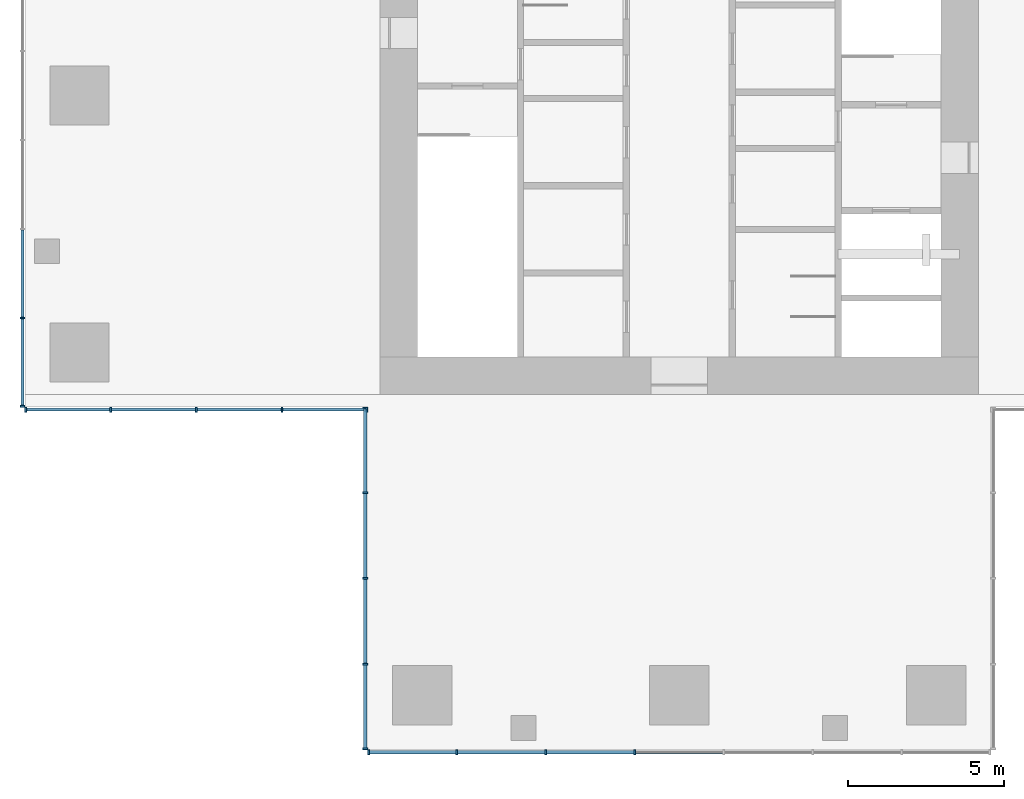
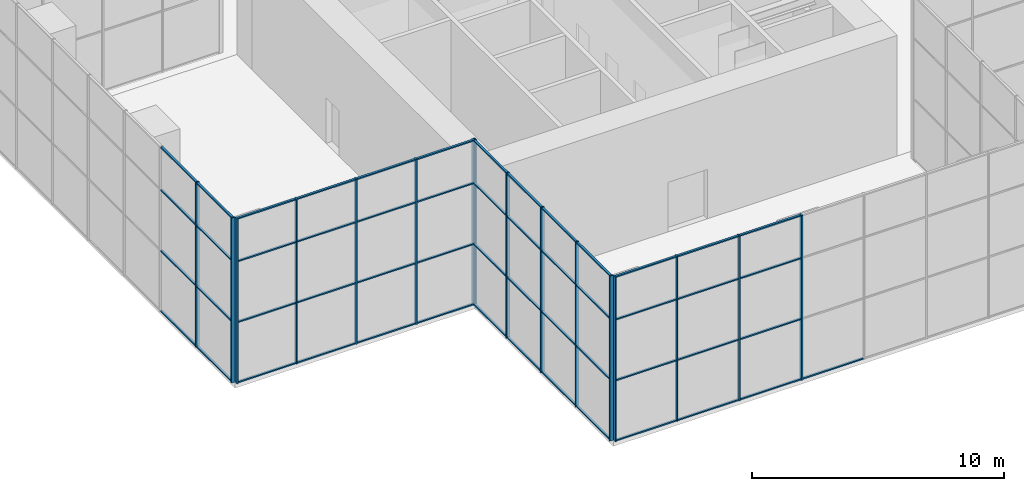
# One storey, part 2 of 12: 69 members, 4 elements without a shape of their own.
"""IFC4 building model written with IfcOpenShell, lengths in metres."""

from ifc_helpers import new_model, si_unit, direction, frame, origin, origin_2d, place, context, subcontext, project, spatial, rectangle, extrude, material, material_profile, profile_set, type_object, element, aggregate, save


model = new_model("IFC4")

# Units and contexts
model_context = context("Model", 3, precision=1e-05, world=origin(), true_north=direction((0.0, 1.0)))
body_context = subcontext(model_context, "Body", "Model", "MODEL_VIEW")
ifc_project = project(units=[si_unit("LENGTHUNIT", "METRE"), si_unit("AREAUNIT", "SQUARE_METRE"), si_unit("VOLUMEUNIT", "CUBIC_METRE"), si_unit("PLANEANGLEUNIT", "RADIAN"), si_unit("MASSUNIT", "GRAM", prefix="KILO")], contexts=[model_context])

# Site, building, storey
site_placement = place(None, origin())
site = spatial("IfcSite", under=ifc_project, at=site_placement, CompositionType="ELEMENT")
building_placement = place(site_placement, origin())
building = spatial("IfcBuilding", under=site, at=building_placement, Name="Svetlomir Tower", CompositionType="ELEMENT")
storey_placement = place(building_placement, frame((0.0, 0.0, 283.89990234375)))
storey = spatial("IfcBuildingStorey", under=building, at=storey_placement, Name="L67", CompositionType="ELEMENT", Elevation=283.89990234375)

# Curtain wall, members
ifc_material_1 = material(Name="Bronze anodised aluminium curtain wall", Category="aluminium")
curtain_wall_type = type_object("IfcCurtainWallType", Name="CURTAIN WALL CW6 LANTERN", PredefinedType="NOTDEFINED", material=ifc_material_1)
curtain_wall_1_placement = place(storey_placement, origin())
curtain_wall_1 = element("IfcCurtainWall", 1, at=curtain_wall_1_placement, inside=storey, type_object=curtain_wall_type, Name="Curtain wall CW6 L67", PredefinedType="NOTDEFINED")
ifc_material_2 = material(Name="Bronze anodised aluminium", Category="aluminium")
ifc_material_profile_1 = material_profile(ifc_material_2, rectangle(XDim=0.06005859375, YDim=0.159912109375, at=origin_2d()), Name="AL 60x160")
ifc_profile_set_1 = profile_set([ifc_material_profile_1], Name="Bronze anodised aluminium 6063-T6")
member_type_1 = type_object("IfcMemberType", Name="CW6 MULLION 60x160", PredefinedType="MULLION", material=ifc_profile_set_1)
member_1_placement = place(storey_placement, frame((11.030029296875, -0.080078125, 0.0), z_axis=(0.0, 0.0, 1.0), x_axis=(1.0, 0.0, 0.0)))
member_1 = element("IfcMember", 2, at=member_1_placement, type_object=member_type_1, Name="CW6 mullion 1", PredefinedType="MULLION", context=body_context, shape_type="SweptSolid", body=[
    extrude(rectangle(XDim=0.06005859375, YDim=0.159912109375, at=origin_2d()), origin(), (0.0, 0.0, 1.0), 8.0),
])
member_2_placement = place(storey_placement, frame((13.857177734375, -0.080078125, 0.0), z_axis=(0.0, 0.0, 1.0), x_axis=(1.0, 0.0, 0.0)))
member_2 = element("IfcMember", 3, at=member_2_placement, type_object=member_type_1, Name="CW6 mullion 2", PredefinedType="MULLION", context=body_context, shape_type="SweptSolid", body=[
    extrude(rectangle(XDim=0.06005859375, YDim=0.159912109375, at=origin_2d()), origin(), (0.0, 0.0, 1.0), 8.0),
])
member_3_placement = place(storey_placement, frame((16.71435546875, -0.080078125, 0.0), z_axis=(0.0, 0.0, 1.0), x_axis=(1.0, 0.0, 0.0)))
member_3 = element("IfcMember", 4, at=member_3_placement, type_object=member_type_1, Name="CW6 mullion 3", PredefinedType="MULLION", context=body_context, shape_type="SweptSolid", body=[
    extrude(rectangle(XDim=0.06005859375, YDim=0.159912109375, at=origin_2d()), origin(), (0.0, 0.0, 1.0), 8.0),
])
member_4_placement = place(storey_placement, frame((19.571533203125, -0.080078125, 0.0), z_axis=(0.0, 0.0, 1.0), x_axis=(1.0, 0.0, 0.0)))
member_4 = element("IfcMember", 5, at=member_4_placement, type_object=member_type_1, Name="CW6 mullion 4", PredefinedType="MULLION", context=body_context, shape_type="SweptSolid", body=[
    extrude(rectangle(XDim=0.06005859375, YDim=0.159912109375, at=origin_2d()), origin(), (0.0, 0.0, 1.0), 8.0),
])

curtain_wall_2_placement = place(storey_placement, origin())
curtain_wall_2 = element("IfcCurtainWall", 6, at=curtain_wall_2_placement, inside=storey, type_object=curtain_wall_type, Name="Curtain wall CW6 L67", PredefinedType="NOTDEFINED")
member_5_placement = place(storey_placement, frame((-0.080078125, 13.857177734375, 0.0), z_axis=(0.0, 0.0, 1.0), x_axis=(0.0, -1.0, 0.0)))
member_5 = element("IfcMember", 7, at=member_5_placement, type_object=member_type_1, Name="CW6 mullion 7", PredefinedType="MULLION", context=body_context, shape_type="SweptSolid", body=[
    extrude(rectangle(XDim=0.06005859375, YDim=0.159912109375, at=origin_2d()), origin(), (0.0, 0.0, 1.0), 8.0),
])
member_6_placement = place(storey_placement, frame((-0.080078125, 11.030029296875, 0.0), z_axis=(0.0, 0.0, 1.0), x_axis=(0.0, -1.0, 0.0)))
member_6 = element("IfcMember", 8, at=member_6_placement, type_object=member_type_1, Name="CW6 mullion 8", PredefinedType="MULLION", context=body_context, shape_type="SweptSolid", body=[
    extrude(rectangle(XDim=0.06005859375, YDim=0.159912109375, at=origin_2d()), origin(), (0.0, 0.0, 1.0), 8.0),
])

curtain_wall_3_placement = place(storey_placement, origin())
curtain_wall_3 = element("IfcCurtainWall", 9, at=curtain_wall_3_placement, inside=storey, type_object=curtain_wall_type, Name="Curtain wall CW6 L67", PredefinedType="NOTDEFINED")
member_7_placement = place(storey_placement, frame((0.030029296875, 10.919921875, 0.0), z_axis=(0.0, 0.0, 1.0), x_axis=(1.0, 0.0, 0.0)))
member_7 = element("IfcMember", 10, at=member_7_placement, type_object=member_type_1, Name="CW6 mullion 1", PredefinedType="MULLION", context=body_context, shape_type="SweptSolid", body=[
    extrude(rectangle(XDim=0.06005859375, YDim=0.159912109375, at=origin_2d()), origin(), (0.0, 0.0, 1.0), 8.0),
])
member_8_placement = place(storey_placement, frame((2.75, 10.919921875, 0.0), z_axis=(0.0, 0.0, 1.0), x_axis=(1.0, 0.0, 0.0)))
member_8 = element("IfcMember", 11, at=member_8_placement, type_object=member_type_1, Name="CW6 mullion 2", PredefinedType="MULLION", context=body_context, shape_type="SweptSolid", body=[
    extrude(rectangle(XDim=0.06005859375, YDim=0.159912109375, at=origin_2d()), origin(), (0.0, 0.0, 1.0), 8.0),
])
member_9_placement = place(storey_placement, frame((5.5, 10.919921875, 0.0), z_axis=(0.0, 0.0, 1.0), x_axis=(1.0, 0.0, 0.0)))
member_9 = element("IfcMember", 12, at=member_9_placement, type_object=member_type_1, Name="CW6 mullion 3", PredefinedType="MULLION", context=body_context, shape_type="SweptSolid", body=[
    extrude(rectangle(XDim=0.06005859375, YDim=0.159912109375, at=origin_2d()), origin(), (0.0, 0.0, 1.0), 8.0),
])
member_10_placement = place(storey_placement, frame((8.25, 10.919921875, 0.0), z_axis=(0.0, 0.0, 1.0), x_axis=(1.0, 0.0, 0.0)))
member_10 = element("IfcMember", 13, at=member_10_placement, type_object=member_type_1, Name="CW6 mullion 4", PredefinedType="MULLION", context=body_context, shape_type="SweptSolid", body=[
    extrude(rectangle(XDim=0.06005859375, YDim=0.159912109375, at=origin_2d()), origin(), (0.0, 0.0, 1.0), 8.0),
])
member_11_placement = place(storey_placement, frame((10.969970703125, 10.919921875, 0.0), z_axis=(0.0, 0.0, 1.0), x_axis=(1.0, 0.0, 0.0)))
member_11 = element("IfcMember", 14, at=member_11_placement, type_object=member_type_1, Name="CW6 mullion 5", PredefinedType="MULLION", context=body_context, shape_type="SweptSolid", body=[
    extrude(rectangle(XDim=0.06005859375, YDim=0.159912109375, at=origin_2d()), origin(), (0.0, 0.0, 1.0), 8.0),
])

curtain_wall_4_placement = place(storey_placement, origin())
curtain_wall_4 = element("IfcCurtainWall", 15, at=curtain_wall_4_placement, inside=storey, type_object=curtain_wall_type, Name="Curtain wall CW6 L67", PredefinedType="NOTDEFINED")
member_12_placement = place(storey_placement, frame((10.919921875, 10.969970703125, 0.0), z_axis=(0.0, 0.0, 1.0), x_axis=(0.0, -1.0, 0.0)))
member_12 = element("IfcMember", 16, at=member_12_placement, type_object=member_type_1, Name="CW6 mullion 1", PredefinedType="MULLION", context=body_context, shape_type="SweptSolid", body=[
    extrude(rectangle(XDim=0.06005859375, YDim=0.159912109375, at=origin_2d()), origin(), (0.0, 0.0, 1.0), 8.0),
])
member_13_placement = place(storey_placement, frame((10.919921875, 8.25, 0.0), z_axis=(0.0, 0.0, 1.0), x_axis=(0.0, -1.0, 0.0)))
member_13 = element("IfcMember", 17, at=member_13_placement, type_object=member_type_1, Name="CW6 mullion 2", PredefinedType="MULLION", context=body_context, shape_type="SweptSolid", body=[
    extrude(rectangle(XDim=0.06005859375, YDim=0.159912109375, at=origin_2d()), origin(), (0.0, 0.0, 1.0), 8.0),
])
member_14_placement = place(storey_placement, frame((10.919921875, 5.5, 0.0), z_axis=(0.0, 0.0, 1.0), x_axis=(0.0, -1.0, 0.0)))
member_14 = element("IfcMember", 18, at=member_14_placement, type_object=member_type_1, Name="CW6 mullion 3", PredefinedType="MULLION", context=body_context, shape_type="SweptSolid", body=[
    extrude(rectangle(XDim=0.06005859375, YDim=0.159912109375, at=origin_2d()), origin(), (0.0, 0.0, 1.0), 8.0),
])
member_15_placement = place(storey_placement, frame((10.919921875, 2.75, 0.0), z_axis=(0.0, 0.0, 1.0), x_axis=(0.0, -1.0, 0.0)))
member_15 = element("IfcMember", 19, at=member_15_placement, type_object=member_type_1, Name="CW6 mullion 4", PredefinedType="MULLION", context=body_context, shape_type="SweptSolid", body=[
    extrude(rectangle(XDim=0.06005859375, YDim=0.159912109375, at=origin_2d()), origin(), (0.0, 0.0, 1.0), 8.0),
])
member_16_placement = place(storey_placement, frame((10.919921875, 0.030029296875, 0.0), z_axis=(0.0, 0.0, 1.0), x_axis=(0.0, -1.0, 0.0)))
member_16 = element("IfcMember", 20, at=member_16_placement, type_object=member_type_1, Name="CW6 mullion 5", PredefinedType="MULLION", context=body_context, shape_type="SweptSolid", body=[
    extrude(rectangle(XDim=0.06005859375, YDim=0.159912109375, at=origin_2d()), origin(), (0.0, 0.0, 1.0), 8.0),
])

# Member
ifc_material_3 = material(Name="Bronze anodised aluminium", Category="aluminium")
ifc_material_profile_2 = material_profile(ifc_material_3, rectangle(XDim=0.10009765625, YDim=0.06005859375, at=origin_2d()), Name="AL 100x60")
ifc_profile_set_2 = profile_set([ifc_material_profile_2], Name="Bronze anodised aluminium 6063-T6")
member_type_2 = type_object("IfcMemberType", Name="CW6 TRANSOM 60x100", PredefinedType="USERDEFINED", material=ifc_profile_set_2)
member_17_placement = place(storey_placement, frame((11.06005859375, -0.080078125, 0.030029296875), z_axis=(1.0, 0.0, 0.0), x_axis=(0.0, 1.0, 0.0)))
member_17 = element("IfcMember", 21, at=member_17_placement, type_object=member_type_2, Name="CW6 transom 1.1", ObjectType="TRANSOM", PredefinedType="USERDEFINED", context=body_context, shape_type="SweptSolid", body=[
    extrude(rectangle(XDim=0.10009765625, YDim=0.06005859375, at=origin_2d()), origin(), (0.0, 0.0, 1.0), 2.76708984375),
])

member_18_placement = place(storey_placement, frame((11.06005859375, -0.080078125, 2.9501953125), z_axis=(1.0, 0.0, 0.0), x_axis=(0.0, 1.0, 0.0)))
member_18 = element("IfcMember", 22, at=member_18_placement, type_object=member_type_2, Name="CW6 transom 1.2", ObjectType="TRANSOM", PredefinedType="USERDEFINED", context=body_context, shape_type="SweptSolid", body=[
    extrude(rectangle(XDim=0.10009765625, YDim=0.06005859375, at=origin_2d()), origin(), (0.0, 0.0, 1.0), 2.76708984375),
])

member_19_placement = place(storey_placement, frame((11.06005859375, -0.080078125, 5.900146484375), z_axis=(1.0, 0.0, 0.0), x_axis=(0.0, 1.0, 0.0)))
member_19 = element("IfcMember", 23, at=member_19_placement, type_object=member_type_2, Name="CW6 transom 1.3", ObjectType="TRANSOM", PredefinedType="USERDEFINED", context=body_context, shape_type="SweptSolid", body=[
    extrude(rectangle(XDim=0.10009765625, YDim=0.06005859375, at=origin_2d()), origin(), (0.0, 0.0, 1.0), 2.76708984375),
])

member_20_placement = place(storey_placement, frame((11.06005859375, -0.080078125, 7.97021484375), z_axis=(1.0, 0.0, 0.0), x_axis=(0.0, 1.0, 0.0)))
member_20 = element("IfcMember", 24, at=member_20_placement, type_object=member_type_2, Name="CW6 transom 1.4", ObjectType="TRANSOM", PredefinedType="USERDEFINED", context=body_context, shape_type="SweptSolid", body=[
    extrude(rectangle(XDim=0.10009765625, YDim=0.06005859375, at=origin_2d()), origin(), (0.0, 0.0, 1.0), 2.76708984375),
])

member_21_placement = place(storey_placement, frame((13.88720703125, -0.080078125, 0.030029296875), z_axis=(1.0, 0.0, 0.0), x_axis=(0.0, 1.0, 0.0)))
member_21 = element("IfcMember", 25, at=member_21_placement, type_object=member_type_2, Name="CW6 transom 2.1", ObjectType="TRANSOM", PredefinedType="USERDEFINED", context=body_context, shape_type="SweptSolid", body=[
    extrude(rectangle(XDim=0.10009765625, YDim=0.06005859375, at=origin_2d()), origin(), (0.0, 0.0, 1.0), 2.797119140625),
])

member_22_placement = place(storey_placement, frame((13.88720703125, -0.080078125, 2.9501953125), z_axis=(1.0, 0.0, 0.0), x_axis=(0.0, 1.0, 0.0)))
member_22 = element("IfcMember", 26, at=member_22_placement, type_object=member_type_2, Name="CW6 transom 2.2", ObjectType="TRANSOM", PredefinedType="USERDEFINED", context=body_context, shape_type="SweptSolid", body=[
    extrude(rectangle(XDim=0.10009765625, YDim=0.06005859375, at=origin_2d()), origin(), (0.0, 0.0, 1.0), 2.797119140625),
])

member_23_placement = place(storey_placement, frame((13.88720703125, -0.080078125, 5.900146484375), z_axis=(1.0, 0.0, 0.0), x_axis=(0.0, 1.0, 0.0)))
member_23 = element("IfcMember", 27, at=member_23_placement, type_object=member_type_2, Name="CW6 transom 2.3", ObjectType="TRANSOM", PredefinedType="USERDEFINED", context=body_context, shape_type="SweptSolid", body=[
    extrude(rectangle(XDim=0.10009765625, YDim=0.06005859375, at=origin_2d()), origin(), (0.0, 0.0, 1.0), 2.797119140625),
])

member_24_placement = place(storey_placement, frame((13.88720703125, -0.080078125, 7.97021484375), z_axis=(1.0, 0.0, 0.0), x_axis=(0.0, 1.0, 0.0)))
member_24 = element("IfcMember", 28, at=member_24_placement, type_object=member_type_2, Name="CW6 transom 2.4", ObjectType="TRANSOM", PredefinedType="USERDEFINED", context=body_context, shape_type="SweptSolid", body=[
    extrude(rectangle(XDim=0.10009765625, YDim=0.06005859375, at=origin_2d()), origin(), (0.0, 0.0, 1.0), 2.797119140625),
])

member_25_placement = place(storey_placement, frame((16.744384765625, -0.080078125, 0.030029296875), z_axis=(1.0, 0.0, 0.0), x_axis=(0.0, 1.0, 0.0)))
member_25 = element("IfcMember", 29, at=member_25_placement, type_object=member_type_2, Name="CW6 transom 3.1", ObjectType="TRANSOM", PredefinedType="USERDEFINED", context=body_context, shape_type="SweptSolid", body=[
    extrude(rectangle(XDim=0.10009765625, YDim=0.06005859375, at=origin_2d()), origin(), (0.0, 0.0, 1.0), 2.797119140625),
])

member_26_placement = place(storey_placement, frame((16.744384765625, -0.080078125, 2.9501953125), z_axis=(1.0, 0.0, 0.0), x_axis=(0.0, 1.0, 0.0)))
member_26 = element("IfcMember", 30, at=member_26_placement, type_object=member_type_2, Name="CW6 transom 3.2", ObjectType="TRANSOM", PredefinedType="USERDEFINED", context=body_context, shape_type="SweptSolid", body=[
    extrude(rectangle(XDim=0.10009765625, YDim=0.06005859375, at=origin_2d()), origin(), (0.0, 0.0, 1.0), 2.797119140625),
])

member_27_placement = place(storey_placement, frame((16.744384765625, -0.080078125, 5.900146484375), z_axis=(1.0, 0.0, 0.0), x_axis=(0.0, 1.0, 0.0)))
member_27 = element("IfcMember", 31, at=member_27_placement, type_object=member_type_2, Name="CW6 transom 3.3", ObjectType="TRANSOM", PredefinedType="USERDEFINED", context=body_context, shape_type="SweptSolid", body=[
    extrude(rectangle(XDim=0.10009765625, YDim=0.06005859375, at=origin_2d()), origin(), (0.0, 0.0, 1.0), 2.797119140625),
])

member_28_placement = place(storey_placement, frame((16.744384765625, -0.080078125, 7.97021484375), z_axis=(1.0, 0.0, 0.0), x_axis=(0.0, 1.0, 0.0)))
member_28 = element("IfcMember", 32, at=member_28_placement, type_object=member_type_2, Name="CW6 transom 3.4", ObjectType="TRANSOM", PredefinedType="USERDEFINED", context=body_context, shape_type="SweptSolid", body=[
    extrude(rectangle(XDim=0.10009765625, YDim=0.06005859375, at=origin_2d()), origin(), (0.0, 0.0, 1.0), 2.797119140625),
])

member_29_placement = place(storey_placement, frame((19.601318359375, -0.080078125, 0.030029296875), z_axis=(1.0, 0.0, 0.0), x_axis=(0.0, 1.0, 0.0)))
member_29 = element("IfcMember", 33, at=member_29_placement, type_object=member_type_2, Name="CW6 transom 4.1", ObjectType="TRANSOM", PredefinedType="USERDEFINED", context=body_context, shape_type="SweptSolid", body=[
    extrude(rectangle(XDim=0.10009765625, YDim=0.06005859375, at=origin_2d()), origin(), (0.0, 0.0, 1.0), 2.79736328125),
])

aggregate(curtain_wall_1, [member_1, member_2, member_3, member_4, member_17, member_18, member_19, member_20, member_21, member_22, member_23, member_24, member_25, member_26, member_27, member_28, member_29])

member_30_placement = place(storey_placement, frame((-0.080078125, 16.684326171875, 0.030029296875), z_axis=(0.0, -1.0, 0.0), x_axis=(1.0, 0.0, 0.0)))
member_30 = element("IfcMember", 34, at=member_30_placement, type_object=member_type_2, Name="CW6 transom 6.1", ObjectType="TRANSOM", PredefinedType="USERDEFINED", context=body_context, shape_type="SweptSolid", body=[
    extrude(rectangle(XDim=0.10009765625, YDim=0.06005859375, at=origin_2d()), origin(), (0.0, 0.0, 1.0), 2.797119140625),
])

member_31_placement = place(storey_placement, frame((-0.080078125, 16.684326171875, 2.9501953125), z_axis=(0.0, -1.0, 0.0), x_axis=(1.0, 0.0, 0.0)))
member_31 = element("IfcMember", 35, at=member_31_placement, type_object=member_type_2, Name="CW6 transom 6.2", ObjectType="TRANSOM", PredefinedType="USERDEFINED", context=body_context, shape_type="SweptSolid", body=[
    extrude(rectangle(XDim=0.10009765625, YDim=0.06005859375, at=origin_2d()), origin(), (0.0, 0.0, 1.0), 2.797119140625),
])

member_32_placement = place(storey_placement, frame((-0.080078125, 16.684326171875, 5.900146484375), z_axis=(0.0, -1.0, 0.0), x_axis=(1.0, 0.0, 0.0)))
member_32 = element("IfcMember", 36, at=member_32_placement, type_object=member_type_2, Name="CW6 transom 6.3", ObjectType="TRANSOM", PredefinedType="USERDEFINED", context=body_context, shape_type="SweptSolid", body=[
    extrude(rectangle(XDim=0.10009765625, YDim=0.06005859375, at=origin_2d()), origin(), (0.0, 0.0, 1.0), 2.797119140625),
])

member_33_placement = place(storey_placement, frame((-0.080078125, 16.684326171875, 7.97021484375), z_axis=(0.0, -1.0, 0.0), x_axis=(1.0, 0.0, 0.0)))
member_33 = element("IfcMember", 37, at=member_33_placement, type_object=member_type_2, Name="CW6 transom 6.4", ObjectType="TRANSOM", PredefinedType="USERDEFINED", context=body_context, shape_type="SweptSolid", body=[
    extrude(rectangle(XDim=0.10009765625, YDim=0.06005859375, at=origin_2d()), origin(), (0.0, 0.0, 1.0), 2.797119140625),
])

member_34_placement = place(storey_placement, frame((-0.080078125, 13.8271484375, 0.030029296875), z_axis=(0.0, -1.0, 0.0), x_axis=(1.0, 0.0, 0.0)))
member_34 = element("IfcMember", 38, at=member_34_placement, type_object=member_type_2, Name="CW6 transom 7.1", ObjectType="TRANSOM", PredefinedType="USERDEFINED", context=body_context, shape_type="SweptSolid", body=[
    extrude(rectangle(XDim=0.10009765625, YDim=0.06005859375, at=origin_2d()), origin(), (0.0, 0.0, 1.0), 2.76708984375),
])

member_35_placement = place(storey_placement, frame((-0.080078125, 13.8271484375, 2.9501953125), z_axis=(0.0, -1.0, 0.0), x_axis=(1.0, 0.0, 0.0)))
member_35 = element("IfcMember", 39, at=member_35_placement, type_object=member_type_2, Name="CW6 transom 7.2", ObjectType="TRANSOM", PredefinedType="USERDEFINED", context=body_context, shape_type="SweptSolid", body=[
    extrude(rectangle(XDim=0.10009765625, YDim=0.06005859375, at=origin_2d()), origin(), (0.0, 0.0, 1.0), 2.76708984375),
])

member_36_placement = place(storey_placement, frame((-0.080078125, 13.8271484375, 5.900146484375), z_axis=(0.0, -1.0, 0.0), x_axis=(1.0, 0.0, 0.0)))
member_36 = element("IfcMember", 40, at=member_36_placement, type_object=member_type_2, Name="CW6 transom 7.3", ObjectType="TRANSOM", PredefinedType="USERDEFINED", context=body_context, shape_type="SweptSolid", body=[
    extrude(rectangle(XDim=0.10009765625, YDim=0.06005859375, at=origin_2d()), origin(), (0.0, 0.0, 1.0), 2.76708984375),
])

member_37_placement = place(storey_placement, frame((-0.080078125, 13.8271484375, 7.97021484375), z_axis=(0.0, -1.0, 0.0), x_axis=(1.0, 0.0, 0.0)))
member_37 = element("IfcMember", 41, at=member_37_placement, type_object=member_type_2, Name="CW6 transom 7.4", ObjectType="TRANSOM", PredefinedType="USERDEFINED", context=body_context, shape_type="SweptSolid", body=[
    extrude(rectangle(XDim=0.10009765625, YDim=0.06005859375, at=origin_2d()), origin(), (0.0, 0.0, 1.0), 2.76708984375),
])

aggregate(curtain_wall_2, [member_5, member_6, member_30, member_31, member_32, member_33, member_34, member_35, member_36, member_37])

member_38_placement = place(storey_placement, frame((0.06005859375, 10.919921875, 0.030029296875), z_axis=(1.0, 0.0, 0.0), x_axis=(0.0, 1.0, 0.0)))
member_38 = element("IfcMember", 42, at=member_38_placement, type_object=member_type_2, Name="CW6 transom 1.1", ObjectType="TRANSOM", PredefinedType="USERDEFINED", context=body_context, shape_type="SweptSolid", body=[
    extrude(rectangle(XDim=0.10009765625, YDim=0.06005859375, at=origin_2d()), origin(), (0.0, 0.0, 1.0), 2.659912109375),
])

member_39_placement = place(storey_placement, frame((0.06005859375, 10.919921875, 2.9501953125), z_axis=(1.0, 0.0, 0.0), x_axis=(0.0, 1.0, 0.0)))
member_39 = element("IfcMember", 43, at=member_39_placement, type_object=member_type_2, Name="CW6 transom 1.2", ObjectType="TRANSOM", PredefinedType="USERDEFINED", context=body_context, shape_type="SweptSolid", body=[
    extrude(rectangle(XDim=0.10009765625, YDim=0.06005859375, at=origin_2d()), origin(), (0.0, 0.0, 1.0), 2.659912109375),
])

member_40_placement = place(storey_placement, frame((0.06005859375, 10.919921875, 5.900146484375), z_axis=(1.0, 0.0, 0.0), x_axis=(0.0, 1.0, 0.0)))
member_40 = element("IfcMember", 44, at=member_40_placement, type_object=member_type_2, Name="CW6 transom 1.3", ObjectType="TRANSOM", PredefinedType="USERDEFINED", context=body_context, shape_type="SweptSolid", body=[
    extrude(rectangle(XDim=0.10009765625, YDim=0.06005859375, at=origin_2d()), origin(), (0.0, 0.0, 1.0), 2.659912109375),
])

member_41_placement = place(storey_placement, frame((0.06005859375, 10.919921875, 7.97021484375), z_axis=(1.0, 0.0, 0.0), x_axis=(0.0, 1.0, 0.0)))
member_41 = element("IfcMember", 45, at=member_41_placement, type_object=member_type_2, Name="CW6 transom 1.4", ObjectType="TRANSOM", PredefinedType="USERDEFINED", context=body_context, shape_type="SweptSolid", body=[
    extrude(rectangle(XDim=0.10009765625, YDim=0.06005859375, at=origin_2d()), origin(), (0.0, 0.0, 1.0), 2.659912109375),
])

member_42_placement = place(storey_placement, frame((2.780029296875, 10.919921875, 0.030029296875), z_axis=(1.0, 0.0, 0.0), x_axis=(0.0, 1.0, 0.0)))
member_42 = element("IfcMember", 46, at=member_42_placement, type_object=member_type_2, Name="CW6 transom 2.1", ObjectType="TRANSOM", PredefinedType="USERDEFINED", context=body_context, shape_type="SweptSolid", body=[
    extrude(rectangle(XDim=0.10009765625, YDim=0.06005859375, at=origin_2d()), origin(), (0.0, 0.0, 1.0), 2.68994140625),
])

member_43_placement = place(storey_placement, frame((2.780029296875, 10.919921875, 2.9501953125), z_axis=(1.0, 0.0, 0.0), x_axis=(0.0, 1.0, 0.0)))
member_43 = element("IfcMember", 47, at=member_43_placement, type_object=member_type_2, Name="CW6 transom 2.2", ObjectType="TRANSOM", PredefinedType="USERDEFINED", context=body_context, shape_type="SweptSolid", body=[
    extrude(rectangle(XDim=0.10009765625, YDim=0.06005859375, at=origin_2d()), origin(), (0.0, 0.0, 1.0), 2.68994140625),
])

member_44_placement = place(storey_placement, frame((2.780029296875, 10.919921875, 5.900146484375), z_axis=(1.0, 0.0, 0.0), x_axis=(0.0, 1.0, 0.0)))
member_44 = element("IfcMember", 48, at=member_44_placement, type_object=member_type_2, Name="CW6 transom 2.3", ObjectType="TRANSOM", PredefinedType="USERDEFINED", context=body_context, shape_type="SweptSolid", body=[
    extrude(rectangle(XDim=0.10009765625, YDim=0.06005859375, at=origin_2d()), origin(), (0.0, 0.0, 1.0), 2.68994140625),
])

member_45_placement = place(storey_placement, frame((2.780029296875, 10.919921875, 7.97021484375), z_axis=(1.0, 0.0, 0.0), x_axis=(0.0, 1.0, 0.0)))
member_45 = element("IfcMember", 49, at=member_45_placement, type_object=member_type_2, Name="CW6 transom 2.4", ObjectType="TRANSOM", PredefinedType="USERDEFINED", context=body_context, shape_type="SweptSolid", body=[
    extrude(rectangle(XDim=0.10009765625, YDim=0.06005859375, at=origin_2d()), origin(), (0.0, 0.0, 1.0), 2.68994140625),
])

member_46_placement = place(storey_placement, frame((5.530029296875, 10.919921875, 0.030029296875), z_axis=(1.0, 0.0, 0.0), x_axis=(0.0, 1.0, 0.0)))
member_46 = element("IfcMember", 50, at=member_46_placement, type_object=member_type_2, Name="CW6 transom 3.1", ObjectType="TRANSOM", PredefinedType="USERDEFINED", context=body_context, shape_type="SweptSolid", body=[
    extrude(rectangle(XDim=0.10009765625, YDim=0.06005859375, at=origin_2d()), origin(), (0.0, 0.0, 1.0), 2.68994140625),
])

member_47_placement = place(storey_placement, frame((5.530029296875, 10.919921875, 2.9501953125), z_axis=(1.0, 0.0, 0.0), x_axis=(0.0, 1.0, 0.0)))
member_47 = element("IfcMember", 51, at=member_47_placement, type_object=member_type_2, Name="CW6 transom 3.2", ObjectType="TRANSOM", PredefinedType="USERDEFINED", context=body_context, shape_type="SweptSolid", body=[
    extrude(rectangle(XDim=0.10009765625, YDim=0.06005859375, at=origin_2d()), origin(), (0.0, 0.0, 1.0), 2.68994140625),
])

member_48_placement = place(storey_placement, frame((5.530029296875, 10.919921875, 5.900146484375), z_axis=(1.0, 0.0, 0.0), x_axis=(0.0, 1.0, 0.0)))
member_48 = element("IfcMember", 52, at=member_48_placement, type_object=member_type_2, Name="CW6 transom 3.3", ObjectType="TRANSOM", PredefinedType="USERDEFINED", context=body_context, shape_type="SweptSolid", body=[
    extrude(rectangle(XDim=0.10009765625, YDim=0.06005859375, at=origin_2d()), origin(), (0.0, 0.0, 1.0), 2.68994140625),
])

member_49_placement = place(storey_placement, frame((5.530029296875, 10.919921875, 7.97021484375), z_axis=(1.0, 0.0, 0.0), x_axis=(0.0, 1.0, 0.0)))
member_49 = element("IfcMember", 53, at=member_49_placement, type_object=member_type_2, Name="CW6 transom 3.4", ObjectType="TRANSOM", PredefinedType="USERDEFINED", context=body_context, shape_type="SweptSolid", body=[
    extrude(rectangle(XDim=0.10009765625, YDim=0.06005859375, at=origin_2d()), origin(), (0.0, 0.0, 1.0), 2.68994140625),
])

member_50_placement = place(storey_placement, frame((8.280029296875, 10.919921875, 0.030029296875), z_axis=(1.0, 0.0, 0.0), x_axis=(0.0, 1.0, 0.0)))
member_50 = element("IfcMember", 54, at=member_50_placement, type_object=member_type_2, Name="CW6 transom 4.1", ObjectType="TRANSOM", PredefinedType="USERDEFINED", context=body_context, shape_type="SweptSolid", body=[
    extrude(rectangle(XDim=0.10009765625, YDim=0.06005859375, at=origin_2d()), origin(), (0.0, 0.0, 1.0), 2.659912109375),
])

member_51_placement = place(storey_placement, frame((8.280029296875, 10.919921875, 2.9501953125), z_axis=(1.0, 0.0, 0.0), x_axis=(0.0, 1.0, 0.0)))
member_51 = element("IfcMember", 55, at=member_51_placement, type_object=member_type_2, Name="CW6 transom 4.2", ObjectType="TRANSOM", PredefinedType="USERDEFINED", context=body_context, shape_type="SweptSolid", body=[
    extrude(rectangle(XDim=0.10009765625, YDim=0.06005859375, at=origin_2d()), origin(), (0.0, 0.0, 1.0), 2.659912109375),
])

member_52_placement = place(storey_placement, frame((8.280029296875, 10.919921875, 5.900146484375), z_axis=(1.0, 0.0, 0.0), x_axis=(0.0, 1.0, 0.0)))
member_52 = element("IfcMember", 56, at=member_52_placement, type_object=member_type_2, Name="CW6 transom 4.3", ObjectType="TRANSOM", PredefinedType="USERDEFINED", context=body_context, shape_type="SweptSolid", body=[
    extrude(rectangle(XDim=0.10009765625, YDim=0.06005859375, at=origin_2d()), origin(), (0.0, 0.0, 1.0), 2.659912109375),
])

member_53_placement = place(storey_placement, frame((8.280029296875, 10.919921875, 7.97021484375), z_axis=(1.0, 0.0, 0.0), x_axis=(0.0, 1.0, 0.0)))
member_53 = element("IfcMember", 57, at=member_53_placement, type_object=member_type_2, Name="CW6 transom 4.4", ObjectType="TRANSOM", PredefinedType="USERDEFINED", context=body_context, shape_type="SweptSolid", body=[
    extrude(rectangle(XDim=0.10009765625, YDim=0.06005859375, at=origin_2d()), origin(), (0.0, 0.0, 1.0), 2.659912109375),
])

aggregate(curtain_wall_3, [member_7, member_8, member_9, member_10, member_11, member_38, member_39, member_40, member_41, member_42, member_43, member_44, member_45, member_46, member_47, member_48, member_49, member_50, member_51, member_52, member_53])

member_54_placement = place(storey_placement, frame((10.919921875, 10.93994140625, 0.030029296875), z_axis=(0.0, -1.0, 0.0), x_axis=(1.0, 0.0, 0.0)))
member_54 = element("IfcMember", 58, at=member_54_placement, type_object=member_type_2, Name="CW6 transom 1.1", ObjectType="TRANSOM", PredefinedType="USERDEFINED", context=body_context, shape_type="SweptSolid", body=[
    extrude(rectangle(XDim=0.10009765625, YDim=0.06005859375, at=origin_2d()), origin(), (0.0, 0.0, 1.0), 2.659912109375),
])

member_55_placement = place(storey_placement, frame((10.919921875, 10.93994140625, 2.9501953125), z_axis=(0.0, -1.0, 0.0), x_axis=(1.0, 0.0, 0.0)))
member_55 = element("IfcMember", 59, at=member_55_placement, type_object=member_type_2, Name="CW6 transom 1.2", ObjectType="TRANSOM", PredefinedType="USERDEFINED", context=body_context, shape_type="SweptSolid", body=[
    extrude(rectangle(XDim=0.10009765625, YDim=0.06005859375, at=origin_2d()), origin(), (0.0, 0.0, 1.0), 2.659912109375),
])

member_56_placement = place(storey_placement, frame((10.919921875, 10.93994140625, 5.900146484375), z_axis=(0.0, -1.0, 0.0), x_axis=(1.0, 0.0, 0.0)))
member_56 = element("IfcMember", 60, at=member_56_placement, type_object=member_type_2, Name="CW6 transom 1.3", ObjectType="TRANSOM", PredefinedType="USERDEFINED", context=body_context, shape_type="SweptSolid", body=[
    extrude(rectangle(XDim=0.10009765625, YDim=0.06005859375, at=origin_2d()), origin(), (0.0, 0.0, 1.0), 2.659912109375),
])

member_57_placement = place(storey_placement, frame((10.919921875, 10.93994140625, 7.97021484375), z_axis=(0.0, -1.0, 0.0), x_axis=(1.0, 0.0, 0.0)))
member_57 = element("IfcMember", 61, at=member_57_placement, type_object=member_type_2, Name="CW6 transom 1.4", ObjectType="TRANSOM", PredefinedType="USERDEFINED", context=body_context, shape_type="SweptSolid", body=[
    extrude(rectangle(XDim=0.10009765625, YDim=0.06005859375, at=origin_2d()), origin(), (0.0, 0.0, 1.0), 2.659912109375),
])

member_58_placement = place(storey_placement, frame((10.919921875, 8.219970703125, 0.030029296875), z_axis=(0.0, -1.0, 0.0), x_axis=(1.0, 0.0, 0.0)))
member_58 = element("IfcMember", 62, at=member_58_placement, type_object=member_type_2, Name="CW6 transom 2.1", ObjectType="TRANSOM", PredefinedType="USERDEFINED", context=body_context, shape_type="SweptSolid", body=[
    extrude(rectangle(XDim=0.10009765625, YDim=0.06005859375, at=origin_2d()), origin(), (0.0, 0.0, 1.0), 2.68994140625),
])

member_59_placement = place(storey_placement, frame((10.919921875, 8.219970703125, 2.9501953125), z_axis=(0.0, -1.0, 0.0), x_axis=(1.0, 0.0, 0.0)))
member_59 = element("IfcMember", 63, at=member_59_placement, type_object=member_type_2, Name="CW6 transom 2.2", ObjectType="TRANSOM", PredefinedType="USERDEFINED", context=body_context, shape_type="SweptSolid", body=[
    extrude(rectangle(XDim=0.10009765625, YDim=0.06005859375, at=origin_2d()), origin(), (0.0, 0.0, 1.0), 2.68994140625),
])

member_60_placement = place(storey_placement, frame((10.919921875, 8.219970703125, 5.900146484375), z_axis=(0.0, -1.0, 0.0), x_axis=(1.0, 0.0, 0.0)))
member_60 = element("IfcMember", 64, at=member_60_placement, type_object=member_type_2, Name="CW6 transom 2.3", ObjectType="TRANSOM", PredefinedType="USERDEFINED", context=body_context, shape_type="SweptSolid", body=[
    extrude(rectangle(XDim=0.10009765625, YDim=0.06005859375, at=origin_2d()), origin(), (0.0, 0.0, 1.0), 2.68994140625),
])

member_61_placement = place(storey_placement, frame((10.919921875, 8.219970703125, 7.97021484375), z_axis=(0.0, -1.0, 0.0), x_axis=(1.0, 0.0, 0.0)))
member_61 = element("IfcMember", 65, at=member_61_placement, type_object=member_type_2, Name="CW6 transom 2.4", ObjectType="TRANSOM", PredefinedType="USERDEFINED", context=body_context, shape_type="SweptSolid", body=[
    extrude(rectangle(XDim=0.10009765625, YDim=0.06005859375, at=origin_2d()), origin(), (0.0, 0.0, 1.0), 2.68994140625),
])

member_62_placement = place(storey_placement, frame((10.919921875, 5.469970703125, 0.030029296875), z_axis=(0.0, -1.0, 0.0), x_axis=(1.0, 0.0, 0.0)))
member_62 = element("IfcMember", 66, at=member_62_placement, type_object=member_type_2, Name="CW6 transom 3.1", ObjectType="TRANSOM", PredefinedType="USERDEFINED", context=body_context, shape_type="SweptSolid", body=[
    extrude(rectangle(XDim=0.10009765625, YDim=0.06005859375, at=origin_2d()), origin(), (0.0, 0.0, 1.0), 2.68994140625),
])

member_63_placement = place(storey_placement, frame((10.919921875, 5.469970703125, 2.9501953125), z_axis=(0.0, -1.0, 0.0), x_axis=(1.0, 0.0, 0.0)))
member_63 = element("IfcMember", 67, at=member_63_placement, type_object=member_type_2, Name="CW6 transom 3.2", ObjectType="TRANSOM", PredefinedType="USERDEFINED", context=body_context, shape_type="SweptSolid", body=[
    extrude(rectangle(XDim=0.10009765625, YDim=0.06005859375, at=origin_2d()), origin(), (0.0, 0.0, 1.0), 2.68994140625),
])

member_64_placement = place(storey_placement, frame((10.919921875, 5.469970703125, 5.900146484375), z_axis=(0.0, -1.0, 0.0), x_axis=(1.0, 0.0, 0.0)))
member_64 = element("IfcMember", 68, at=member_64_placement, type_object=member_type_2, Name="CW6 transom 3.3", ObjectType="TRANSOM", PredefinedType="USERDEFINED", context=body_context, shape_type="SweptSolid", body=[
    extrude(rectangle(XDim=0.10009765625, YDim=0.06005859375, at=origin_2d()), origin(), (0.0, 0.0, 1.0), 2.68994140625),
])

member_65_placement = place(storey_placement, frame((10.919921875, 5.469970703125, 7.97021484375), z_axis=(0.0, -1.0, 0.0), x_axis=(1.0, 0.0, 0.0)))
member_65 = element("IfcMember", 69, at=member_65_placement, type_object=member_type_2, Name="CW6 transom 3.4", ObjectType="TRANSOM", PredefinedType="USERDEFINED", context=body_context, shape_type="SweptSolid", body=[
    extrude(rectangle(XDim=0.10009765625, YDim=0.06005859375, at=origin_2d()), origin(), (0.0, 0.0, 1.0), 2.68994140625),
])

member_66_placement = place(storey_placement, frame((10.919921875, 2.719970703125, 0.030029296875), z_axis=(0.0, -1.0, 0.0), x_axis=(1.0, 0.0, 0.0)))
member_66 = element("IfcMember", 70, at=member_66_placement, type_object=member_type_2, Name="CW6 transom 4.1", ObjectType="TRANSOM", PredefinedType="USERDEFINED", context=body_context, shape_type="SweptSolid", body=[
    extrude(rectangle(XDim=0.10009765625, YDim=0.06005859375, at=origin_2d()), origin(), (0.0, 0.0, 1.0), 2.659912109375),
])

member_67_placement = place(storey_placement, frame((10.919921875, 2.719970703125, 2.9501953125), z_axis=(0.0, -1.0, 0.0), x_axis=(1.0, 0.0, 0.0)))
member_67 = element("IfcMember", 71, at=member_67_placement, type_object=member_type_2, Name="CW6 transom 4.2", ObjectType="TRANSOM", PredefinedType="USERDEFINED", context=body_context, shape_type="SweptSolid", body=[
    extrude(rectangle(XDim=0.10009765625, YDim=0.06005859375, at=origin_2d()), origin(), (0.0, 0.0, 1.0), 2.659912109375),
])

member_68_placement = place(storey_placement, frame((10.919921875, 2.719970703125, 5.900146484375), z_axis=(0.0, -1.0, 0.0), x_axis=(1.0, 0.0, 0.0)))
member_68 = element("IfcMember", 72, at=member_68_placement, type_object=member_type_2, Name="CW6 transom 4.3", ObjectType="TRANSOM", PredefinedType="USERDEFINED", context=body_context, shape_type="SweptSolid", body=[
    extrude(rectangle(XDim=0.10009765625, YDim=0.06005859375, at=origin_2d()), origin(), (0.0, 0.0, 1.0), 2.659912109375),
])

member_69_placement = place(storey_placement, frame((10.919921875, 2.719970703125, 7.97021484375), z_axis=(0.0, -1.0, 0.0), x_axis=(1.0, 0.0, 0.0)))
member_69 = element("IfcMember", 73, at=member_69_placement, type_object=member_type_2, Name="CW6 transom 4.4", ObjectType="TRANSOM", PredefinedType="USERDEFINED", context=body_context, shape_type="SweptSolid", body=[
    extrude(rectangle(XDim=0.10009765625, YDim=0.06005859375, at=origin_2d()), origin(), (0.0, 0.0, 1.0), 2.659912109375),
])

aggregate(curtain_wall_4, [member_12, member_13, member_14, member_15, member_16, member_54, member_55, member_56, member_57, member_58, member_59, member_60, member_61, member_62, member_63, member_64, member_65, member_66, member_67, member_68, member_69])

save(model, "model.ifc")
